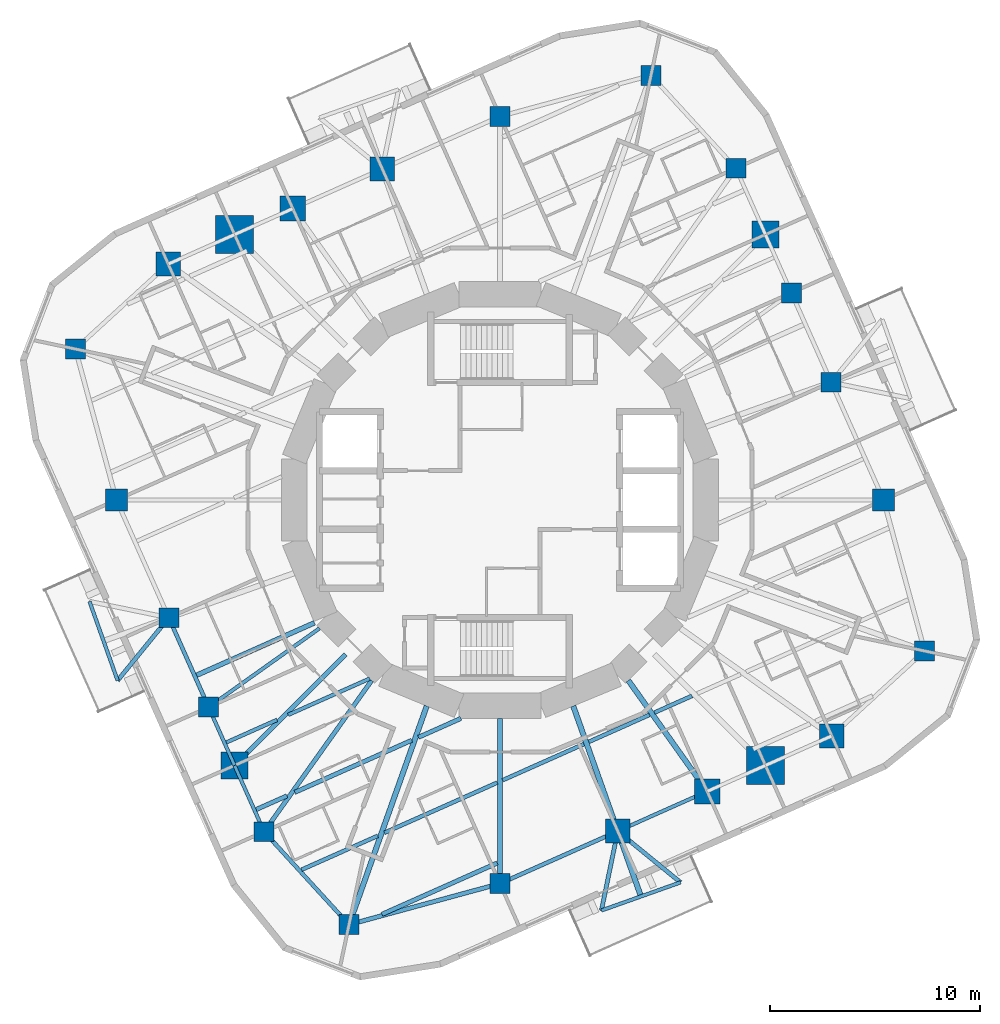
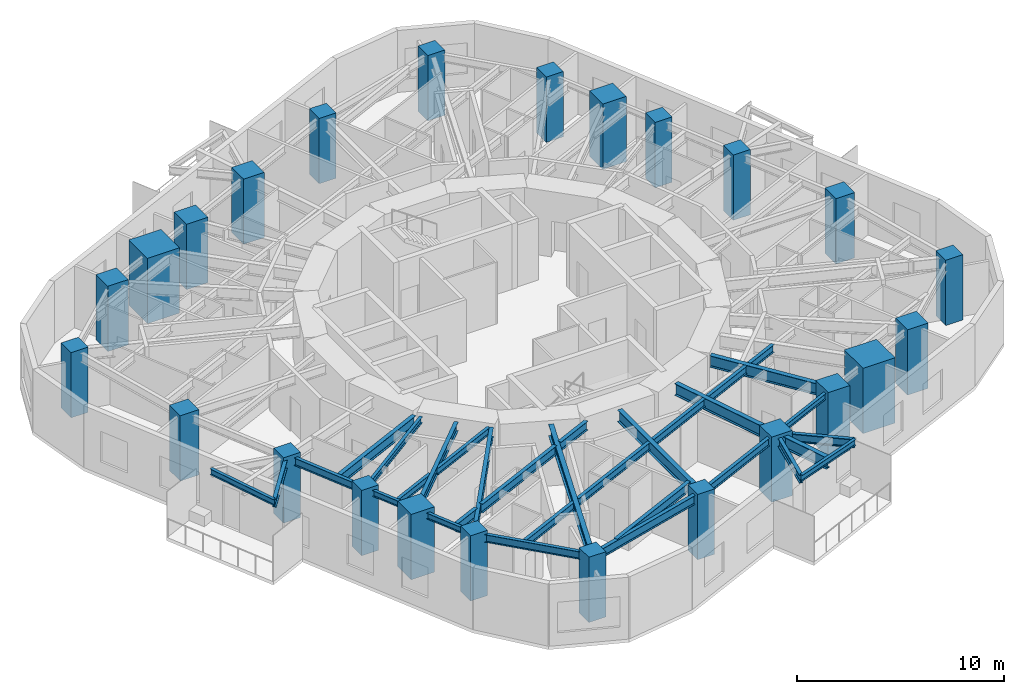
# One storey, part 1 of 12: 31 beams, 24 columns.
"""IFC4 building model written with IfcOpenShell, lengths in metres."""

from ifc_helpers import new_model, si_unit, direction, frame, origin, origin_2d, place, context, subcontext, project, spatial, rectangle, i_section, extrude, material, material_profile, profile_set, type_object, element, save


model = new_model("IFC4")

# Units and contexts
model_context = context("Model", 3, precision=1e-05, world=origin(), true_north=direction((0.0, 1.0)))
body_context = subcontext(model_context, "Body", "Model", "MODEL_VIEW")
ifc_project = project(units=[si_unit("LENGTHUNIT", "METRE"), si_unit("AREAUNIT", "SQUARE_METRE"), si_unit("VOLUMEUNIT", "CUBIC_METRE"), si_unit("PLANEANGLEUNIT", "RADIAN"), si_unit("MASSUNIT", "GRAM", prefix="KILO")], contexts=[model_context])

# Site, building, storey
site_placement = place(None, origin())
site = spatial("IfcSite", under=ifc_project, at=site_placement, CompositionType="ELEMENT")
building_placement = place(site_placement, origin())
building = spatial("IfcBuilding", under=site, at=building_placement, Name="Nakasero Lantern House", CompositionType="ELEMENT")
storey_placement = place(building_placement, frame((0.0, 0.0, 190.14990234375)))
storey = spatial("IfcBuildingStorey", under=building, at=storey_placement, Name="L46", CompositionType="ELEMENT", Elevation=190.14990234375)

# Columns
ifc_material_1 = material(Name="Concrete C45/55", Category="concrete")
ifc_material_profile_1 = material_profile(ifc_material_1, rectangle(XDim=1.300048828125, YDim=1.300048828125, at=origin_2d()), Name="RC 1300x1300")
ifc_profile_set_1 = profile_set([ifc_material_profile_1], Name="Concrete C45/55")
column_type_1 = type_object("IfcColumnType", Name="Mega column RC 1300x1300 C45/55", PredefinedType="COLUMN", material=ifc_profile_set_1)
for number, where, z_axis, x_axis, name in (
    (1, (12.64892578125, 12.64892578125, 0.0), (0.0, 0.0, 1.0), (1.0, 0.0, 0.0), "Column B5-C06 L46"),
    (2, (-12.64892578125, -12.64892578125, 0.0), (0.0, 0.0, 1.0), (1.0, 0.0, 0.0), "Column B5-C18 L46"),
):
    element("IfcColumn", number, at=place(storey_placement, frame(where, z_axis=z_axis, x_axis=x_axis)), inside=storey, type_object=column_type_1, Name=name, PredefinedType="COLUMN", context=body_context, shape_type="SweptSolid", body=[
        extrude(rectangle(XDim=1.300048828125, YDim=1.300048828125, at=origin_2d()), origin(), (0.0, 0.0, 1.0), 3.85009765625),
    ])
ifc_material_2 = material(Name="Concrete C45/55", Category="concrete")
ifc_material_profile_2 = material_profile(ifc_material_2, rectangle(XDim=1.800048828125, YDim=1.800048828125, at=origin_2d()), Name="RC 1800x1800")
ifc_profile_set_2 = profile_set([ifc_material_profile_2], Name="Concrete C45/55")
column_type_2 = type_object("IfcColumnType", Name="Mega column RC 1800x1800 C45/55", PredefinedType="COLUMN", material=ifc_profile_set_2)
for number, where, z_axis, x_axis, name in (
    (3, (-12.64892578125, 12.64892578125, 0.0), (0.0, 0.0, 1.0), (1.0, 0.0, 0.0), "Column B5-C12 L46"),
    (4, (12.64892578125, -12.64892578125, 0.0), (0.0, 0.0, 1.0), (1.0, 0.0, 0.0), "Column B5-C24 L46"),
):
    element("IfcColumn", number, at=place(storey_placement, frame(where, z_axis=z_axis, x_axis=x_axis)), inside=storey, type_object=column_type_2, Name=name, PredefinedType="COLUMN", context=body_context, shape_type="SweptSolid", body=[
        extrude(rectangle(XDim=1.800048828125, YDim=1.800048828125, at=origin_2d()), origin(), (0.0, 0.0, 1.0), 3.85009765625),
    ])
ifc_material_3 = material(Name="Concrete C45/55", Category="concrete")
ifc_material_profile_3 = material_profile(ifc_material_3, rectangle(XDim=1.050048828125, YDim=1.050048828125, at=origin_2d()), Name="RC 1050x1050")
ifc_profile_set_3 = profile_set([ifc_material_profile_3], Name="Concrete C45/55")
column_type_3 = type_object("IfcColumnType", Name="Ring column RC 1050x1050 C45/55", PredefinedType="COLUMN", material=ifc_profile_set_3)
for number, where, z_axis, x_axis, name in (
    (5, (18.280517578125, 0.0, 0.0), (0.0, 0.0, 1.0), (1.0, 0.0, 0.0), "Column B5-C03 L46"),
    (6, (-18.280517578125, 0.0, 0.0), (0.0, 0.0, 1.0), (1.0, 0.0, 0.0), "Column B5-C15 L46"),
):
    element("IfcColumn", number, at=place(storey_placement, frame(where, z_axis=z_axis, x_axis=x_axis)), inside=storey, type_object=column_type_3, Name=name, PredefinedType="COLUMN", context=body_context, shape_type="SweptSolid", body=[
        extrude(rectangle(XDim=1.050048828125, YDim=1.050048828125, at=origin_2d()), origin(), (0.0, 0.0, 1.0), 3.85009765625),
    ])
ifc_material_4 = material(Name="Concrete C45/55", Category="concrete")
ifc_material_profile_4 = material_profile(ifc_material_4, rectangle(XDim=1.14990234375, YDim=1.14990234375, at=origin_2d()), Name="RC 1150x1150")
ifc_profile_set_4 = profile_set([ifc_material_profile_4], Name="Concrete C45/55")
column_type_4 = type_object("IfcColumnType", Name="Ring column RC 1150x1150 C45/55", PredefinedType="COLUMN", material=ifc_profile_set_4)
for number, where, z_axis, x_axis, name in (
    (7, (15.808837890625, -11.241943359375, 0.0), (0.0, 0.0, 1.0), (1.0, 0.0, 0.0), "Column B5-C01 L46"),
    (8, (-5.611328125, 15.781982421875, 0.0), (0.0, 0.0, 1.0), (1.0, 0.0, 0.0), "Column B5-C10 L46"),
    (9, (-15.808837890625, 11.241943359375, 0.0), (0.0, 0.0, 1.0), (1.0, 0.0, 0.0), "Column B5-C13 L46"),
    (10, (5.611328125, -15.781982421875, 0.0), (0.0, 0.0, 1.0), (1.0, 0.0, 0.0), "Column B5-C22 L46"),
):
    element("IfcColumn", number, at=place(storey_placement, frame(where, z_axis=z_axis, x_axis=x_axis)), inside=storey, type_object=column_type_4, Name=name, PredefinedType="COLUMN", context=body_context, shape_type="SweptSolid", body=[
        extrude(rectangle(XDim=1.14990234375, YDim=1.14990234375, at=origin_2d()), origin(), (0.0, 0.0, 1.0), 3.85009765625),
    ])
ifc_material_5 = material(Name="Concrete C45/55", Category="concrete")
ifc_material_profile_5 = material_profile(ifc_material_5, rectangle(XDim=1.199951171875, YDim=1.199951171875, at=origin_2d()), Name="RC 1200x1200")
ifc_profile_set_5 = profile_set([ifc_material_profile_5], Name="Concrete C45/55")
column_type_5 = type_object("IfcColumnType", Name="Ring column RC 1200x1200 C45/55", PredefinedType="COLUMN", material=ifc_profile_set_5)
for number, where, z_axis, x_axis, name in (
    (11, (-9.87353515625, 13.884521484375, 0.0), (0.0, 0.0, 1.0), (1.0, 0.0, 0.0), "Column B5-C11 L46"),
    (12, (9.87353515625, -13.884521484375, 0.0), (0.0, 0.0, 1.0), (1.0, 0.0, 0.0), "Column B5-C23 L46"),
):
    element("IfcColumn", number, at=place(storey_placement, frame(where, z_axis=z_axis, x_axis=x_axis)), inside=storey, type_object=column_type_5, Name=name, PredefinedType="COLUMN", context=body_context, shape_type="SweptSolid", body=[
        extrude(rectangle(XDim=1.199951171875, YDim=1.199951171875, at=origin_2d()), origin(), (0.0, 0.0, 1.0), 3.85009765625),
    ])
ifc_material_6 = material(Name="Concrete C45/55", Category="concrete")
ifc_material_profile_6 = material_profile(ifc_material_6, rectangle(XDim=0.949951171875, YDim=0.949951171875, at=origin_2d()), Name="RC 950x950")
ifc_profile_set_6 = profile_set([ifc_material_profile_6], Name="Concrete C45/55")
column_type_6 = type_object("IfcColumnType", Name="Ring column RC 950x950 C45/55", PredefinedType="COLUMN", material=ifc_profile_set_6)
for number, where, z_axis, x_axis, name in (
    (13, (20.2353515625, -7.19482421875, 0.0), (0.0, 0.0, 1.0), (1.0, 0.0, 0.0), "Column B5-C02 L46"),
    (14, (15.781982421875, 5.611328125, 0.0), (0.0, 0.0, 1.0), (1.0, 0.0, 0.0), "Column B5-C04 L46"),
    (15, (13.884521484375, 9.87353515625, 0.0), (0.0, 0.0, 1.0), (1.0, 0.0, 0.0), "Column B5-C05 L46"),
    (16, (11.241943359375, 15.808837890625, 0.0), (0.0, 0.0, 1.0), (1.0, 0.0, 0.0), "Column B5-C07 L46"),
    (17, (7.19482421875, 20.2353515625, 0.0), (0.0, 0.0, 1.0), (1.0, 0.0, 0.0), "Column B5-C08 L46"),
    (18, (0.0, 18.280517578125, 0.0), (0.0, 0.0, 1.0), (1.0, 0.0, 0.0), "Column B5-C09 L46"),
    (19, (-20.2353515625, 7.19482421875, 0.0), (0.0, 0.0, 1.0), (1.0, 0.0, 0.0), "Column B5-C14 L46"),
    (20, (-15.781982421875, -5.611328125, 0.0), (0.0, 0.0, 1.0), (1.0, 0.0, 0.0), "Column B5-C16 L46"),
    (21, (-13.884521484375, -9.87353515625, 0.0), (0.0, 0.0, 1.0), (1.0, 0.0, 0.0), "Column B5-C17 L46"),
    (22, (-11.241943359375, -15.808837890625, 0.0), (0.0, 0.0, 1.0), (1.0, 0.0, 0.0), "Column B5-C19 L46"),
    (23, (-7.19482421875, -20.2353515625, 0.0), (0.0, 0.0, 1.0), (1.0, 0.0, 0.0), "Column B5-C20 L46"),
    (24, (0.0, -18.280517578125, 0.0), (0.0, 0.0, 1.0), (1.0, 0.0, 0.0), "Column B5-C21 L46"),
):
    element("IfcColumn", number, at=place(storey_placement, frame(where, z_axis=z_axis, x_axis=x_axis)), inside=storey, type_object=column_type_6, Name=name, PredefinedType="COLUMN", context=body_context, shape_type="SweptSolid", body=[
        extrude(rectangle(XDim=0.949951171875, YDim=0.949951171875, at=origin_2d()), origin(), (0.0, 0.0, 1.0), 3.85009765625),
    ])

# Beams
ifc_material_7 = material(Name="Steel S355", Category="steel")
ifc_material_profile_7 = material_profile(ifc_material_7, i_section(OverallWidth=0.199462890625, OverallDepth=0.491943359375, WebThickness=0.01806640625, FlangeThickness=0.031982421875, FilletRadius=0.01025390625, at=origin_2d()), Name="UB 457x191x161")
ifc_profile_set_7 = profile_set([ifc_material_profile_7], Name="Steel S355")
beam_type_1 = type_object("IfcBeamType", Name="Balcony splay beam UB 457x191x161", PredefinedType="BEAM", material=ifc_profile_set_7)
for number, where, z_axis, x_axis, name in (
    (25, (-15.781982421875, -5.611328125, 3.404052734375), (-0.632165712937, -0.774833215206, 0.0), (0.774833215206, -0.632165712937, 0.0), "Balcony splay beam L47 B5-C16A"),
    (26, (5.611328125, -15.781982421875, 3.404052734375), (0.774833215206, -0.632165712937, 0.0), (0.632165712937, 0.774833215206, 0.0), "Balcony splay beam L47 B5-C22A"),
):
    element("IfcBeam", number, at=place(storey_placement, frame(where, z_axis=z_axis, x_axis=x_axis)), inside=storey, type_object=beam_type_1, Name=name, PredefinedType="BEAM", context=body_context, shape_type="SweptSolid", body=[
        extrude(i_section(OverallWidth=0.199462890625, OverallDepth=0.491943359375, WebThickness=0.01806640625, FlangeThickness=0.031982421875, FilletRadius=0.01025390625, at=origin_2d()), origin(), (0.0, 0.0, 1.0), 3.85888671875),
    ])
beam_1_placement = place(storey_placement, frame((5.611328125, -15.781982421875, 3.404052734375), z_axis=(-0.201831438605, -0.979420272605, 0.0), x_axis=(0.979420272605, -0.201831438605, 0.0)))
element("IfcBeam", 27, at=beam_1_placement, inside=storey, type_object=beam_type_1, Name="Balcony splay beam L47 B5-C22B", PredefinedType="BEAM", context=body_context, shape_type="SweptSolid", body=[
    extrude(i_section(OverallWidth=0.199462890625, OverallDepth=0.491943359375, WebThickness=0.01806640625, FlangeThickness=0.031982421875, FilletRadius=0.01025390625, at=origin_2d()), origin(), (0.0, 0.0, 1.0), 3.858642578125),
])
ifc_material_8 = material(Name="Steel S355", Category="steel")
ifc_material_profile_8 = material_profile(ifc_material_8, i_section(OverallWidth=0.17138671875, OverallDepth=0.35498046875, WebThickness=0.00732421875, FlangeThickness=0.011474609375, FilletRadius=0.01025390625, at=origin_2d()), Name="UB 356x171x51")
ifc_profile_set_8 = profile_set([ifc_material_profile_8], Name="Steel S355")
beam_type_2 = type_object("IfcBeamType", Name="Balcony tie beam UB 356x171x51", PredefinedType="BEAM", material=ifc_profile_set_8)
for number, where, z_axis, x_axis, name in (
    (28, (-18.221435546875, -8.601318359375, 3.47265625), (-0.334971134582, 0.94222839004, 0.0), (-0.94222839004, -0.334971134582, 0.0), "Balcony tie beam L47 B5-C16"),
    (29, (8.601318359375, -18.221435546875, 3.47265625), (-0.94222839004, -0.334971134582, 0.0), (0.334971134582, -0.94222839004, 0.0), "Balcony tie beam L47 B5-C22"),
):
    element("IfcBeam", number, at=place(storey_placement, frame(where, z_axis=z_axis, x_axis=x_axis)), inside=storey, type_object=beam_type_2, Name=name, PredefinedType="BEAM", context=body_context, shape_type="SweptSolid", body=[
        extrude(i_section(OverallWidth=0.17138671875, OverallDepth=0.35498046875, WebThickness=0.00732421875, FlangeThickness=0.011474609375, FilletRadius=0.01025390625, at=origin_2d()), origin(), (0.0, 0.0, 1.0), 4.0),
    ])
ifc_material_9 = material(Name="Steel S355", Category="steel")
ifc_material_profile_9 = material_profile(ifc_material_9, i_section(OverallWidth=0.177978515625, OverallDepth=0.406494140625, WebThickness=0.0078125, FlangeThickness=0.0126953125, FilletRadius=0.01025390625, at=origin_2d()), Name="UB 406x178x60")
ifc_profile_set_9 = profile_set([ifc_material_profile_9], Name="Steel S355")
beam_type_3 = type_object("IfcBeamType", Name="Infill beam UB 406x178x60", PredefinedType="JOIST", material=ifc_profile_set_9)
beam_2_placement = place(storey_placement, frame((-13.04248046875, -11.5537109375, 3.44677734375), z_axis=(0.913529602849, 0.406772251658, 0.0), x_axis=(-0.406772251658, 0.913529602849, 0.0)))
element("IfcBeam", 30, at=beam_2_placement, inside=storey, type_object=beam_type_3, Name="Infill beam L47 06.1", PredefinedType="JOIST", context=body_context, shape_type="SweptSolid", body=[
    extrude(i_section(OverallWidth=0.177978515625, OverallDepth=0.406494140625, WebThickness=0.0078125, FlangeThickness=0.0126953125, FilletRadius=0.01025390625, at=origin_2d()), origin(), (0.0, 0.0, 1.0), 2.64453125),
])
beam_3_placement = place(storey_placement, frame((-10.09130859375, -10.23974609375, 3.44677734375), z_axis=(0.91354134882, 0.406745871517, 0.0), x_axis=(-0.406745871517, 0.91354134882, 0.0)))
element("IfcBeam", 31, at=beam_3_placement, inside=storey, type_object=beam_type_3, Name="Infill beam L47 06.2", PredefinedType="JOIST", context=body_context, shape_type="SweptSolid", body=[
    extrude(i_section(OverallWidth=0.177978515625, OverallDepth=0.406494140625, WebThickness=0.0078125, FlangeThickness=0.0126953125, FilletRadius=0.01025390625, at=origin_2d()), origin(), (0.0, 0.0, 1.0), 4.250732421875),
])
ifc_material_10 = material(Name="Steel S355", Category="steel")
ifc_material_profile_10 = material_profile(ifc_material_10, i_section(OverallWidth=0.18994140625, OverallDepth=0.453369140625, WebThickness=0.008544921875, FlangeThickness=0.0126953125, FilletRadius=0.01025390625, at=origin_2d()), Name="UB 457x191x67")
ifc_profile_set_10 = profile_set([ifc_material_profile_10], Name="Steel S355")
beam_type_4 = type_object("IfcBeamType", Name="Infill beam UB 457x191x67", PredefinedType="JOIST", material=ifc_profile_set_10)
beam_4_placement = place(storey_placement, frame((-9.457275390625, -17.619873046875, 3.42333984375), z_axis=(0.91354552237, 0.406736497695, 0.0), x_axis=(-0.406736497695, 0.91354552237, 0.0)))
element("IfcBeam", 32, at=beam_4_placement, inside=storey, type_object=beam_type_4, Name="Infill beam L47 04.1", PredefinedType="JOIST", context=body_context, shape_type="SweptSolid", body=[
    extrude(i_section(OverallWidth=0.18994140625, OverallDepth=0.453369140625, WebThickness=0.008544921875, FlangeThickness=0.0126953125, FilletRadius=0.01025390625, at=origin_2d()), origin(), (0.0, 0.0, 1.0), 3.9765625),
])
beam_5_placement = place(storey_placement, frame((-5.50439453125, -15.860107421875, 3.42333984375), z_axis=(0.913539401307, 0.406750245556, 0.0), x_axis=(-0.406750245556, 0.913539401307, 0.0)))
element("IfcBeam", 33, at=beam_5_placement, inside=storey, type_object=beam_type_4, Name="Infill beam L47 04.2", PredefinedType="JOIST", context=body_context, shape_type="SweptSolid", body=[
    extrude(i_section(OverallWidth=0.18994140625, OverallDepth=0.453369140625, WebThickness=0.008544921875, FlangeThickness=0.0126953125, FilletRadius=0.01025390625, at=origin_2d()), origin(), (0.0, 0.0, 1.0), 5.886474609375),
])
beam_6_placement = place(storey_placement, frame((0.126953125, -13.352783203125, 3.42333984375), z_axis=(0.913552455182, 0.40672092598, 0.0), x_axis=(-0.40672092598, 0.913552455182, 0.0)))
element("IfcBeam", 34, at=beam_6_placement, inside=storey, type_object=beam_type_4, Name="Infill beam L47 04.3", PredefinedType="JOIST", context=body_context, shape_type="SweptSolid", body=[
    extrude(i_section(OverallWidth=0.18994140625, OverallDepth=0.453369140625, WebThickness=0.008544921875, FlangeThickness=0.0126953125, FilletRadius=0.01025390625, at=origin_2d()), origin(), (0.0, 0.0, 1.0), 4.238525390625),
])
beam_7_placement = place(storey_placement, frame((4.2333984375, -11.5244140625, 3.42333984375), z_axis=(0.913544106346, 0.406739678123, 0.0), x_axis=(-0.406739678123, 0.913544106346, 0.0)))
element("IfcBeam", 35, at=beam_7_placement, inside=storey, type_object=beam_type_4, Name="Infill beam L47 04.4", PredefinedType="JOIST", context=body_context, shape_type="SweptSolid", body=[
    extrude(i_section(OverallWidth=0.18994140625, OverallDepth=0.453369140625, WebThickness=0.008544921875, FlangeThickness=0.0126953125, FilletRadius=0.01025390625, at=origin_2d()), origin(), (0.0, 0.0, 1.0), 3.16455078125),
])
beam_8_placement = place(storey_placement, frame((7.360595703125, -10.132080078125, 3.42333984375), z_axis=(0.913569530341, 0.406682570603, 0.0), x_axis=(-0.406682570603, 0.913569530341, 0.0)))
element("IfcBeam", 36, at=beam_8_placement, inside=storey, type_object=beam_type_4, Name="Infill beam L47 04.5", PredefinedType="JOIST", context=body_context, shape_type="SweptSolid", body=[
    extrude(i_section(OverallWidth=0.18994140625, OverallDepth=0.453369140625, WebThickness=0.008544921875, FlangeThickness=0.0126953125, FilletRadius=0.01025390625, at=origin_2d()), origin(), (0.0, 0.0, 1.0), 1.95654296875),
])
ifc_material_11 = material(Name="Steel S355", Category="steel")
ifc_material_profile_11 = material_profile(ifc_material_11, i_section(OverallWidth=0.2099609375, OverallDepth=0.53662109375, WebThickness=0.0107421875, FlangeThickness=0.017333984375, FilletRadius=0.0126953125, at=origin_2d()), Name="UB 533x210x101")
ifc_profile_set_11 = profile_set([ifc_material_profile_11], Name="Steel S355")
beam_type_5 = type_object("IfcBeamType", Name="Infill beam UB 533x210x101", PredefinedType="JOIST", material=ifc_profile_set_11)
beam_9_placement = place(storey_placement, frame((-5.626708984375, -19.745849609375, 3.3818359375), z_axis=(0.913540433669, 0.406747926919, 0.0), x_axis=(-0.406747926919, 0.913540433669, 0.0)))
element("IfcBeam", 37, at=beam_9_placement, inside=storey, type_object=beam_type_5, Name="Infill beam L47 03.1", PredefinedType="JOIST", context=body_context, shape_type="SweptSolid", body=[
    extrude(i_section(OverallWidth=0.2099609375, OverallDepth=0.53662109375, WebThickness=0.0107421875, FlangeThickness=0.017333984375, FilletRadius=0.0126953125, at=origin_2d()), origin(), (0.0, 0.0, 1.0), 6.020263671875),
])
ifc_material_12 = material(Name="Steel S355", Category="steel")
ifc_material_profile_12 = material_profile(ifc_material_12, i_section(OverallWidth=0.208740234375, OverallDepth=0.5283203125, WebThickness=0.009521484375, FlangeThickness=0.01318359375, FilletRadius=0.0126953125, at=origin_2d()), Name="UB 533x210x82")
ifc_profile_set_12 = profile_set([ifc_material_profile_12], Name="Steel S355")
beam_type_6 = type_object("IfcBeamType", Name="Infill beam UB 533x210x82", PredefinedType="JOIST", material=ifc_profile_set_12)
beam_10_placement = place(storey_placement, frame((-11.618896484375, -14.751220703125, 3.385986328125), z_axis=(0.913522313414, 0.406788621884, 0.0), x_axis=(-0.406788621884, 0.913522313414, 0.0)))
element("IfcBeam", 38, at=beam_10_placement, inside=storey, type_object=beam_type_6, Name="Infill beam L47 05.1", PredefinedType="JOIST", context=body_context, shape_type="SweptSolid", body=[
    extrude(i_section(OverallWidth=0.208740234375, OverallDepth=0.5283203125, WebThickness=0.009521484375, FlangeThickness=0.01318359375, FilletRadius=0.0126953125, at=origin_2d()), origin(), (0.0, 0.0, 1.0), 1.6025390625),
])
beam_11_placement = place(storey_placement, frame((-9.778076171875, -13.931640625, 3.385986328125), z_axis=(0.913537341067, 0.406754872713, 0.0), x_axis=(-0.406754872713, 0.913537341067, 0.0)))
element("IfcBeam", 39, at=beam_11_placement, inside=storey, type_object=beam_type_6, Name="Infill beam L47 05.2", PredefinedType="JOIST", context=body_context, shape_type="SweptSolid", body=[
    extrude(i_section(OverallWidth=0.208740234375, OverallDepth=0.5283203125, WebThickness=0.009521484375, FlangeThickness=0.01318359375, FilletRadius=0.0126953125, at=origin_2d()), origin(), (0.0, 0.0, 1.0), 6.099365234375),
])
beam_12_placement = place(storey_placement, frame((-3.885986328125, -11.308349609375, 3.385986328125), z_axis=(0.913538457968, 0.406752364238, 0.0), x_axis=(-0.406752364238, 0.913538457968, 0.0)))
element("IfcBeam", 40, at=beam_12_placement, inside=storey, type_object=beam_type_6, Name="Infill beam L47 05.3", PredefinedType="JOIST", context=body_context, shape_type="SweptSolid", body=[
    extrude(i_section(OverallWidth=0.208740234375, OverallDepth=0.5283203125, WebThickness=0.009521484375, FlangeThickness=0.01318359375, FilletRadius=0.0126953125, at=origin_2d()), origin(), (0.0, 0.0, 1.0), 2.213623046875),
])
ifc_material_13 = material(Name="Steel S355", Category="steel")
ifc_material_profile_13 = material_profile(ifc_material_13, i_section(OverallWidth=0.22900390625, OverallDepth=0.6123046875, WebThickness=0.011962890625, FlangeThickness=0.01953125, FilletRadius=0.0126953125, at=origin_2d()), Name="UB 610x229x125")
ifc_profile_set_13 = profile_set([ifc_material_profile_13], Name="Steel S355")
beam_type_7 = type_object("IfcBeamType", Name="Infill beam UB 610x229x125", PredefinedType="JOIST", material=ifc_profile_set_13)
beam_13_placement = place(storey_placement, frame((-14.457763671875, -8.3525390625, 3.343994140625), z_axis=(0.913552627294, 0.406720539393, 0.0), x_axis=(-0.406720539393, 0.913552627294, 0.0)))
element("IfcBeam", 41, at=beam_13_placement, inside=storey, type_object=beam_type_7, Name="Infill beam L47 07.1", PredefinedType="JOIST", context=body_context, shape_type="SweptSolid", body=[
    extrude(i_section(OverallWidth=0.22900390625, OverallDepth=0.6123046875, WebThickness=0.011962890625, FlangeThickness=0.01953125, FilletRadius=0.0126953125, at=origin_2d()), origin(), (0.0, 0.0, 1.0), 6.14794921875),
])
ifc_material_14 = material(Name="Steel S355", Category="steel")
ifc_material_profile_14 = material_profile(ifc_material_14, i_section(OverallWidth=0.17138671875, OverallDepth=0.35498046875, WebThickness=0.00732421875, FlangeThickness=0.011474609375, FilletRadius=0.01025390625, at=origin_2d()), Name="UB 356x171x51")
ifc_profile_set_14 = profile_set([ifc_material_profile_14], Name="Steel S355")
beam_type_8 = type_object("IfcBeamType", Name="Primary beam UB 356x171x51, span 6 to 9 m", PredefinedType="BEAM", material=ifc_profile_set_14)
beam_14_placement = place(storey_placement, frame((-13.884521484375, -9.87353515625, 3.47265625), z_axis=(0.8149430702, 0.57954101868, 0.0), x_axis=(-0.57954101868, 0.8149430702, 0.0)))
element("IfcBeam", 42, at=beam_14_placement, inside=storey, type_object=beam_type_8, Name="Primary beam L47 B5-C17", PredefinedType="BEAM", context=body_context, shape_type="SweptSolid", body=[
    extrude(i_section(OverallWidth=0.17138671875, OverallDepth=0.35498046875, WebThickness=0.00732421875, FlangeThickness=0.011474609375, FilletRadius=0.01025390625, at=origin_2d()), origin(), (0.0, 0.0, 1.0), 6.48193359375),
])
ifc_material_15 = material(Name="Steel S355", Category="steel")
ifc_material_profile_15 = material_profile(ifc_material_15, i_section(OverallWidth=0.2099609375, OverallDepth=0.53662109375, WebThickness=0.0107421875, FlangeThickness=0.017333984375, FilletRadius=0.0126953125, at=origin_2d()), Name="UB 533x210x101")
ifc_profile_set_15 = profile_set([ifc_material_profile_15], Name="Steel S355")
beam_type_9 = type_object("IfcBeamType", Name="Primary beam UB 533x210x101, span 6 to 9 m", PredefinedType="BEAM", material=ifc_profile_set_15)
beam_15_placement = place(storey_placement, frame((-12.64892578125, -12.64892578125, 3.3818359375), z_axis=(0.707106781187, 0.707106781187, 0.0), x_axis=(-0.707106781187, 0.707106781187, 0.0)))
element("IfcBeam", 43, at=beam_15_placement, inside=storey, type_object=beam_type_9, Name="Primary beam L47 B5-C18", PredefinedType="BEAM", context=body_context, shape_type="SweptSolid", body=[
    extrude(i_section(OverallWidth=0.2099609375, OverallDepth=0.53662109375, WebThickness=0.0107421875, FlangeThickness=0.017333984375, FilletRadius=0.0126953125, at=origin_2d()), origin(), (0.0, 0.0, 1.0), 7.48046875),
])
beam_16_placement = place(storey_placement, frame((-11.241943359375, -15.808837890625, 3.3818359375), z_axis=(0.579536824926, 0.814946052543, 0.0), x_axis=(-0.814946052543, 0.579536824926, 0.0)))
element("IfcBeam", 44, at=beam_16_placement, inside=storey, type_object=beam_type_9, Name="Primary beam L47 B5-C19", PredefinedType="BEAM", context=body_context, shape_type="SweptSolid", body=[
    extrude(i_section(OverallWidth=0.2099609375, OverallDepth=0.53662109375, WebThickness=0.0107421875, FlangeThickness=0.017333984375, FilletRadius=0.0126953125, at=origin_2d()), origin(), (0.0, 0.0, 1.0), 8.84326171875),
])
ifc_material_16 = material(Name="Steel S355", Category="steel")
ifc_material_profile_16 = material_profile(ifc_material_16, i_section(OverallWidth=0.253662109375, OverallDepth=0.68359375, WebThickness=0.012451171875, FlangeThickness=0.01904296875, FilletRadius=0.01513671875, at=origin_2d()), Name="UB 686x254x140")
ifc_profile_set_16 = profile_set([ifc_material_profile_16], Name="Steel S355")
beam_type_10 = type_object("IfcBeamType", Name="Primary beam UB 686x254x140, span 6 to 9 m", PredefinedType="BEAM", material=ifc_profile_set_16)
beam_17_placement = place(storey_placement, frame((0.0, -18.280517578125, 3.308349609375), z_axis=(0.0, 1.0, 0.0), x_axis=(-1.0, 0.0, 0.0)))
element("IfcBeam", 45, at=beam_17_placement, inside=storey, type_object=beam_type_10, Name="Primary beam L47 B5-C21", PredefinedType="BEAM", context=body_context, shape_type="SweptSolid", body=[
    extrude(i_section(OverallWidth=0.253662109375, OverallDepth=0.68359375, WebThickness=0.012451171875, FlangeThickness=0.01904296875, FilletRadius=0.01513671875, at=origin_2d()), origin(), (0.0, 0.0, 1.0), 7.87255859375),
])
beam_18_placement = place(storey_placement, frame((9.87353515625, -13.884521484375, 3.308349609375), z_axis=(-0.57954101868, 0.8149430702, 0.0), x_axis=(-0.8149430702, -0.57954101868, 0.0)))
element("IfcBeam", 46, at=beam_18_placement, inside=storey, type_object=beam_type_10, Name="Primary beam L47 B5-C23", PredefinedType="BEAM", context=body_context, shape_type="SweptSolid", body=[
    extrude(i_section(OverallWidth=0.253662109375, OverallDepth=0.68359375, WebThickness=0.012451171875, FlangeThickness=0.01904296875, FilletRadius=0.01513671875, at=origin_2d()), origin(), (0.0, 0.0, 1.0), 6.48193359375),
])
ifc_material_17 = material(Name="Steel S355", Category="steel")
ifc_material_profile_17 = material_profile(ifc_material_17, i_section(OverallWidth=0.253662109375, OverallDepth=0.68359375, WebThickness=0.012451171875, FlangeThickness=0.01904296875, FilletRadius=0.01513671875, at=origin_2d()), Name="UB 686x254x140")
ifc_profile_set_17 = profile_set([ifc_material_profile_17], Name="Steel S355")
beam_type_11 = type_object("IfcBeamType", Name="Primary beam UB 686x254x140, span 9 to 12 m", PredefinedType="BEAM", material=ifc_profile_set_17)
beam_19_placement = place(storey_placement, frame((-7.19482421875, -20.2353515625, 3.308349609375), z_axis=(0.335020995468, 0.942210662535, 0.0), x_axis=(-0.942210662535, 0.335020995468, 0.0)))
element("IfcBeam", 47, at=beam_19_placement, inside=storey, type_object=beam_type_11, Name="Primary beam L47 B5-C20", PredefinedType="BEAM", context=body_context, shape_type="SweptSolid", body=[
    extrude(i_section(OverallWidth=0.253662109375, OverallDepth=0.68359375, WebThickness=0.012451171875, FlangeThickness=0.01904296875, FilletRadius=0.01513671875, at=origin_2d()), origin(), (0.0, 0.0, 1.0), 11.054931640625),
])
ifc_material_18 = material(Name="Steel S355", Category="steel")
ifc_material_profile_18 = material_profile(ifc_material_18, i_section(OverallWidth=0.255859375, OverallDepth=0.69287109375, WebThickness=0.014404296875, FlangeThickness=0.023681640625, FilletRadius=0.01513671875, at=origin_2d()), Name="UB 686x254x170")
ifc_profile_set_18 = profile_set([ifc_material_profile_18], Name="Steel S355")
beam_type_12 = type_object("IfcBeamType", Name="Primary beam UB 686x254x170, span 6 to 9 m", PredefinedType="BEAM", material=ifc_profile_set_18)
beam_20_placement = place(storey_placement, frame((6.717041015625, -18.891357421875, 3.3037109375), z_axis=(-0.335030177005, 0.942207397814, 0.0), x_axis=(-0.942207397814, -0.335030177005, 0.0)))
element("IfcBeam", 48, at=beam_20_placement, inside=storey, type_object=beam_type_12, Name="Primary beam L47 B5-C22", PredefinedType="BEAM", context=body_context, shape_type="SweptSolid", body=[
    extrude(i_section(OverallWidth=0.255859375, OverallDepth=0.69287109375, WebThickness=0.014404296875, FlangeThickness=0.023681640625, FilletRadius=0.01513671875, at=origin_2d()), origin(), (0.0, 0.0, 1.0), 9.62841796875),
])
ifc_material_19 = material(Name="Steel S355", Category="steel")
ifc_material_profile_19 = material_profile(ifc_material_19, i_section(OverallWidth=0.17138671875, OverallDepth=0.35498046875, WebThickness=0.00732421875, FlangeThickness=0.011474609375, FilletRadius=0.01025390625, at=origin_2d()), Name="UB 356x171x51")
ifc_profile_set_19 = profile_set([ifc_material_profile_19], Name="Steel S355")
beam_type_13 = type_object("IfcBeamType", Name="Ring beam UB 356x171x51", PredefinedType="BEAM", material=ifc_profile_set_19)
beam_21_placement = place(storey_placement, frame((-13.884521484375, -9.87353515625, 3.47265625), z_axis=(0.40671251915, -0.913556197925, 0.0), x_axis=(0.913556197925, 0.40671251915, 0.0)))
element("IfcBeam", 49, at=beam_21_placement, inside=storey, type_object=beam_type_13, Name="Ring beam L47 B5-C17", PredefinedType="BEAM", context=body_context, shape_type="SweptSolid", body=[
    extrude(i_section(OverallWidth=0.17138671875, OverallDepth=0.35498046875, WebThickness=0.00732421875, FlangeThickness=0.011474609375, FilletRadius=0.01025390625, at=origin_2d()), origin(), (0.0, 0.0, 1.0), 3.0380859375),
])
beam_22_placement = place(storey_placement, frame((-12.64892578125, -12.64892578125, 3.47265625), z_axis=(0.406760506795, -0.913534832457, 0.0), x_axis=(0.913534832457, 0.406760506795, 0.0)))
element("IfcBeam", 50, at=beam_22_placement, inside=storey, type_object=beam_type_13, Name="Ring beam L47 B5-C18", PredefinedType="BEAM", context=body_context, shape_type="SweptSolid", body=[
    extrude(i_section(OverallWidth=0.17138671875, OverallDepth=0.35498046875, WebThickness=0.00732421875, FlangeThickness=0.011474609375, FilletRadius=0.01025390625, at=origin_2d()), origin(), (0.0, 0.0, 1.0), 3.458984375),
])
beam_23_placement = place(storey_placement, frame((5.611328125, -15.781982421875, 3.47265625), z_axis=(0.913561058639, 0.406701600856, 0.0), x_axis=(-0.406701600856, 0.913561058639, 0.0)))
element("IfcBeam", 51, at=beam_23_placement, inside=storey, type_object=beam_type_13, Name="Ring beam L47 B5-C22", PredefinedType="BEAM", context=body_context, shape_type="SweptSolid", body=[
    extrude(i_section(OverallWidth=0.17138671875, OverallDepth=0.35498046875, WebThickness=0.00732421875, FlangeThickness=0.011474609375, FilletRadius=0.01025390625, at=origin_2d()), origin(), (0.0, 0.0, 1.0), 4.66552734375),
])
ifc_material_20 = material(Name="Steel S355", Category="steel")
ifc_material_profile_20 = material_profile(ifc_material_20, i_section(OverallWidth=0.18994140625, OverallDepth=0.453369140625, WebThickness=0.008544921875, FlangeThickness=0.0126953125, FilletRadius=0.01025390625, at=origin_2d()), Name="UB 457x191x67")
ifc_profile_set_20 = profile_set([ifc_material_profile_20], Name="Steel S355")
beam_type_14 = type_object("IfcBeamType", Name="Ring beam UB 457x191x67", PredefinedType="BEAM", material=ifc_profile_set_20)
beam_24_placement = place(storey_placement, frame((-15.781982421875, -5.611328125, 3.42333984375), z_axis=(0.406701600856, -0.913561058639, 0.0), x_axis=(0.913561058639, 0.406701600856, 0.0)))
element("IfcBeam", 52, at=beam_24_placement, inside=storey, type_object=beam_type_14, Name="Ring beam L47 B5-C16", PredefinedType="BEAM", context=body_context, shape_type="SweptSolid", body=[
    extrude(i_section(OverallWidth=0.18994140625, OverallDepth=0.453369140625, WebThickness=0.008544921875, FlangeThickness=0.0126953125, FilletRadius=0.01025390625, at=origin_2d()), origin(), (0.0, 0.0, 1.0), 4.66552734375),
])
beam_25_placement = place(storey_placement, frame((-11.241943359375, -15.808837890625, 3.42333984375), z_axis=(0.674771099966, -0.73802707447, 0.0), x_axis=(0.73802707447, 0.674771099966, 0.0)))
element("IfcBeam", 53, at=beam_25_placement, inside=storey, type_object=beam_type_14, Name="Ring beam L47 B5-C19", PredefinedType="BEAM", context=body_context, shape_type="SweptSolid", body=[
    extrude(i_section(OverallWidth=0.18994140625, OverallDepth=0.453369140625, WebThickness=0.008544921875, FlangeThickness=0.0126953125, FilletRadius=0.01025390625, at=origin_2d()), origin(), (0.0, 0.0, 1.0), 5.997802734375),
])
ifc_material_21 = material(Name="Steel S355", Category="steel")
ifc_material_profile_21 = material_profile(ifc_material_21, i_section(OverallWidth=0.19140625, OverallDepth=0.4599609375, WebThickness=0.010009765625, FlangeThickness=0.01611328125, FilletRadius=0.01025390625, at=origin_2d()), Name="UB 457x191x82")
ifc_profile_set_21 = profile_set([ifc_material_profile_21], Name="Steel S355")
beam_type_15 = type_object("IfcBeamType", Name="Ring beam UB 457x191x82", PredefinedType="BEAM", material=ifc_profile_set_21)
beam_26_placement = place(storey_placement, frame((0.0, -18.280517578125, 3.420166015625), z_axis=(0.913532698569, 0.406765299215, 0.0), x_axis=(-0.406765299215, 0.913532698569, 0.0)))
element("IfcBeam", 54, at=beam_26_placement, inside=storey, type_object=beam_type_15, Name="Ring beam L47 B5-C21", PredefinedType="BEAM", context=body_context, shape_type="SweptSolid", body=[
    extrude(i_section(OverallWidth=0.19140625, OverallDepth=0.4599609375, WebThickness=0.010009765625, FlangeThickness=0.01611328125, FilletRadius=0.01025390625, at=origin_2d()), origin(), (0.0, 0.0, 1.0), 6.142333984375),
])
ifc_material_22 = material(Name="Steel S355", Category="steel")
ifc_material_profile_22 = material_profile(ifc_material_22, i_section(OverallWidth=0.208740234375, OverallDepth=0.5283203125, WebThickness=0.009521484375, FlangeThickness=0.01318359375, FilletRadius=0.0126953125, at=origin_2d()), Name="UB 533x210x82")
ifc_profile_set_22 = profile_set([ifc_material_profile_22], Name="Steel S355")
beam_type_16 = type_object("IfcBeamType", Name="Ring beam UB 533x210x82", PredefinedType="BEAM", material=ifc_profile_set_22)
beam_27_placement = place(storey_placement, frame((-7.19482421875, -20.2353515625, 3.385986328125), z_axis=(0.965015017941, 0.26219461312, 0.0), x_axis=(-0.26219461312, 0.965015017941, 0.0)))
element("IfcBeam", 55, at=beam_27_placement, inside=storey, type_object=beam_type_16, Name="Ring beam L47 B5-C20", PredefinedType="BEAM", context=body_context, shape_type="SweptSolid", body=[
    extrude(i_section(OverallWidth=0.208740234375, OverallDepth=0.5283203125, WebThickness=0.009521484375, FlangeThickness=0.01318359375, FilletRadius=0.0126953125, at=origin_2d()), origin(), (0.0, 0.0, 1.0), 7.45556640625),
])

save(model, "model.ifc")
